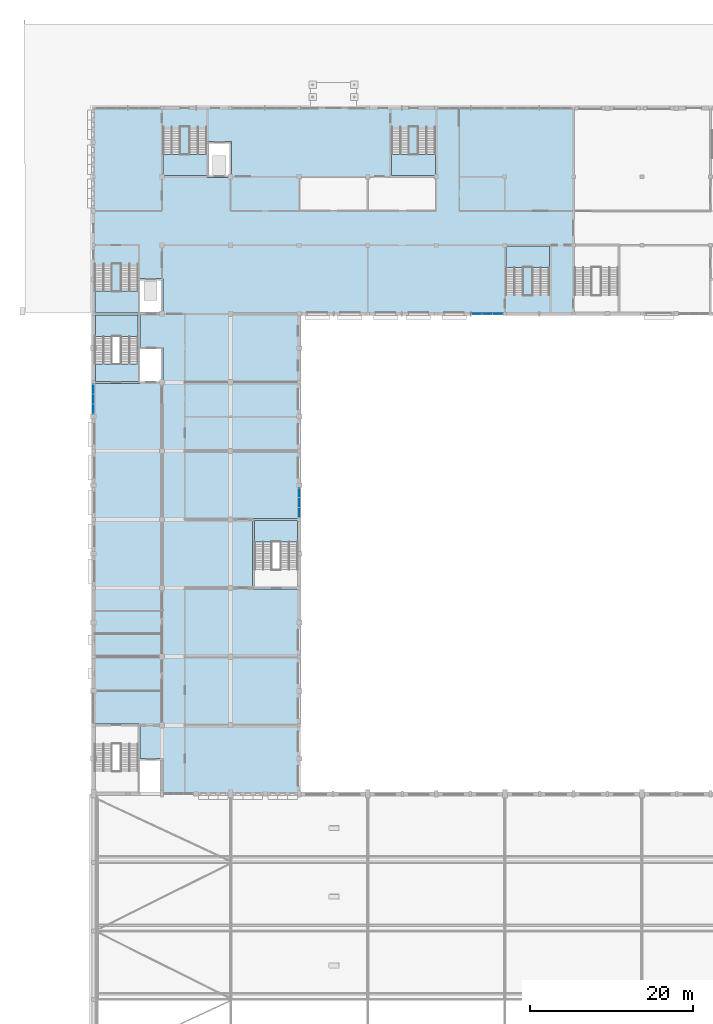
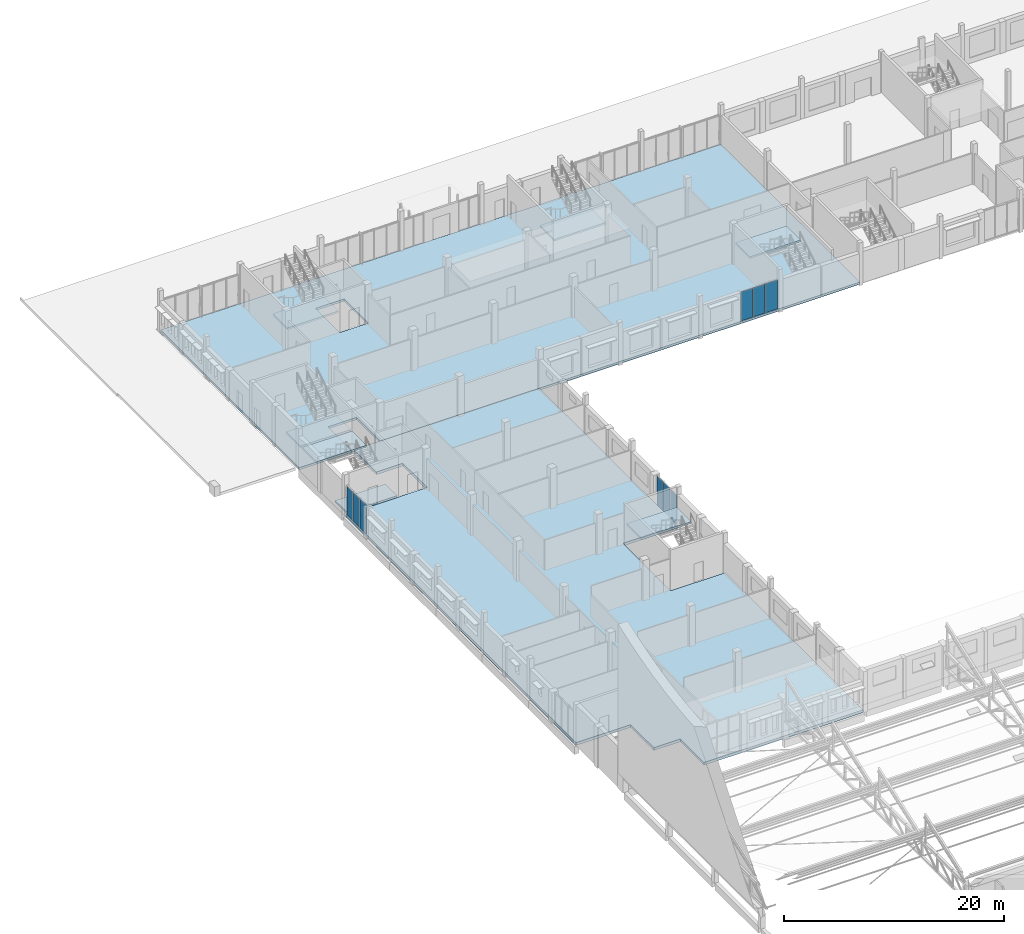
# One storey, part 65 of 101: 9 plates, 9 slabs, 9 elements without a shape of their own.
"""IFC4 building model written with IfcOpenShell, lengths in metres."""

from ifc_helpers import new_model, si_unit, direction, frame, origin, origin_2d, place, context, subcontext, project, spatial, polyline, rectangle, outline, extrude, material, layer, layer_set, type_object, element, aggregate, save


model = new_model("IFC4")

# Units and contexts
model_context = context("Model", 3, precision=1e-05, world=origin(), true_north=direction((0.0, 1.0)))
body_context = subcontext(model_context, "Body", "Model", "MODEL_VIEW")
ifc_project = project(units=[si_unit("LENGTHUNIT", "METRE"), si_unit("AREAUNIT", "SQUARE_METRE"), si_unit("VOLUMEUNIT", "CUBIC_METRE"), si_unit("PLANEANGLEUNIT", "RADIAN"), si_unit("MASSUNIT", "GRAM", prefix="KILO")], contexts=[model_context])

# Site, building, storey
site_placement = place(None, origin())
site = spatial("IfcSite", under=ifc_project, at=site_placement, CompositionType="ELEMENT")
building_placement = place(site_placement, origin())
building = spatial("IfcBuilding", under=site, at=building_placement, Name="Fescue Hill Polytechnic", CompositionType="ELEMENT")
storey_placement = place(building_placement, frame((0.0, 0.0, 9.0)))
storey = spatial("IfcBuildingStorey", under=building, at=storey_placement, Name="L02", CompositionType="ELEMENT", Elevation=9.0)

# Slabs
ifc_material_1 = material(Name="Concrete 35 MPa", Category="concrete")
ifc_layer_1 = layer(ifc_material_1, 0.25)
ifc_layer_set_1 = layer_set([ifc_layer_1], Name="Concrete 35 MPa")
slab_type_1 = type_object("IfcSlabType", Name="Base slab 250", PredefinedType="BASESLAB", material=ifc_layer_set_1)
slab_1_placement = place(storey_placement, frame((0.0, 0.0, -0.25)))
element("IfcSlab", 1, at=slab_1_placement, inside=storey, type_object=slab_type_1, Name="SL-L02-V5-1", PredefinedType="BASESLAB", context=body_context, shape_type="SweptSolid", body=[
    extrude(outline(polyline([(0.0, 109.199951171875), (0.0, 134.39990234375), (58.800048828125, 134.39990234375), (58.800048828125, 109.199951171875), (8.5, 109.199951171875), (8.5, 113.5), (5.5, 113.5), (5.5, 109.199951171875), (0.0, 109.199951171875)]), holes=[polyline([(16.89990234375, 125.89990234375), (16.89990234375, 130.300048828125), (13.89990234375, 130.300048828125), (13.89990234375, 125.89990234375), (16.89990234375, 125.89990234375)])]), origin(), (0.0, 0.0, 1.0), 0.25),
])
ifc_layer_2 = layer(ifc_material_1, 0.300048828125)
ifc_layer_set_2 = layer_set([ifc_layer_2], Name="Concrete 35 MPa")
slab_type_2 = type_object("IfcSlabType", Name="Floor slab 300", PredefinedType="FLOOR", material=ifc_layer_set_2)
slab_2_placement = place(storey_placement, frame((0.0, 0.0, -0.300048828125)))
element("IfcSlab", 2, at=slab_2_placement, inside=storey, type_object=slab_type_2, Name="SL-L02-V4-1", PredefinedType="FLOOR", context=body_context, shape_type="SweptSolid", body=[
    extrude(outline(polyline([(25.199951171875, 50.39990234375), (8.5, 50.39990234375), (8.5, 54.699951171875), (5.72509765625, 54.699951171875), (5.72509765625, 58.925048828125), (0.0, 58.925048828125), (0.0, 100.675048828125), (5.72509765625, 100.675048828125), (5.72509765625, 100.699951171875), (8.5, 100.699951171875), (8.5, 105.10009765625), (5.72509765625, 105.10009765625), (5.72509765625, 109.199951171875), (25.199951171875, 109.199951171875), (25.199951171875, 84.125), (19.47509765625, 84.125), (19.47509765625, 75.47509765625), (25.199951171875, 75.47509765625), (25.199951171875, 50.39990234375)])), origin(), (0.0, 0.0, 1.0), 0.300048828125),
])

# Curtain wall, plates
ifc_material_2 = material(Name="Glass", Category="glass")
curtain_wall_type = type_object("IfcCurtainWallType", Name="Curtain wall structural glazing", PredefinedType="NOTDEFINED", material=ifc_material_2)
curtain_wall_1_placement = place(storey_placement, origin())
curtain_wall_1 = element("IfcCurtainWall", 3, at=curtain_wall_1_placement, inside=storey, type_object=curtain_wall_type, Name="CW-L02-V4-X2", PredefinedType="NOTDEFINED")
ifc_layer_3 = layer(ifc_material_2, 0.028076171875)
ifc_layer_set_3 = layer_set([ifc_layer_3], Name="Glass")
plate_type = type_object("IfcPlateType", Name="Panel glazing 28", PredefinedType="CURTAIN_PANEL", material=ifc_layer_set_3)
plate_1_placement = place(storey_placement, frame((0.0, 99.947509765625, 0.06005859375), z_axis=(0.0, 0.0, 1.0), x_axis=(0.0, -1.0, 0.0)))
plate_1 = element("IfcPlate", 4, at=plate_1_placement, type_object=plate_type, Name="CW128 panel 1.1", PredefinedType="CURTAIN_PANEL", context=body_context, shape_type="SweptSolid", body=[
    extrude(rectangle(XDim=1.135009765625, YDim=0.028076171875, at=origin_2d()), origin(), (0.0, 0.0, 1.0), 3.2099609375),
])
plate_2_placement = place(storey_placement, frame((0.0, 98.737548828125, 0.06005859375), z_axis=(0.0, 0.0, 1.0), x_axis=(0.0, -1.0, 0.0)))
plate_2 = element("IfcPlate", 5, at=plate_2_placement, type_object=plate_type, Name="CW128 panel 2.1", PredefinedType="CURTAIN_PANEL", context=body_context, shape_type="SweptSolid", body=[
    extrude(rectangle(XDim=1.1650390625, YDim=0.028076171875, at=origin_2d()), origin(), (0.0, 0.0, 1.0), 3.2099609375),
])
plate_3_placement = place(storey_placement, frame((0.0, 97.527587890625, 0.06005859375), z_axis=(0.0, 0.0, 1.0), x_axis=(0.0, -1.0, 0.0)))
plate_3 = element("IfcPlate", 6, at=plate_3_placement, type_object=plate_type, Name="CW128 panel 3.1", PredefinedType="CURTAIN_PANEL", context=body_context, shape_type="SweptSolid", body=[
    extrude(rectangle(XDim=1.135009765625, YDim=0.028076171875, at=origin_2d()), origin(), (0.0, 0.0, 1.0), 3.2099609375),
])
aggregate(curtain_wall_1, [plate_1, plate_2, plate_3])

curtain_wall_2_placement = place(storey_placement, origin())
curtain_wall_2 = element("IfcCurtainWall", 7, at=curtain_wall_2_placement, inside=storey, type_object=curtain_wall_type, Name="CW-L02-V4-X3", PredefinedType="NOTDEFINED")
plate_4_placement = place(storey_placement, frame((25.199951171875, 84.8525390625, 0.06005859375), z_axis=(0.0, 0.0, 1.0), x_axis=(0.0, 1.0, 0.0)))
plate_4 = element("IfcPlate", 8, at=plate_4_placement, type_object=plate_type, Name="CW135 panel 1.1", PredefinedType="CURTAIN_PANEL", context=body_context, shape_type="SweptSolid", body=[
    extrude(rectangle(XDim=1.135009765625, YDim=0.028076171875, at=origin_2d()), origin(), (0.0, 0.0, 1.0), 3.2099609375),
])
plate_5_placement = place(storey_placement, frame((25.199951171875, 86.0625, 0.06005859375), z_axis=(0.0, 0.0, 1.0), x_axis=(0.0, 1.0, 0.0)))
plate_5 = element("IfcPlate", 9, at=plate_5_placement, type_object=plate_type, Name="CW135 panel 2.1", PredefinedType="CURTAIN_PANEL", context=body_context, shape_type="SweptSolid", body=[
    extrude(rectangle(XDim=1.1650390625, YDim=0.028076171875, at=origin_2d()), origin(), (0.0, 0.0, 1.0), 3.2099609375),
])
plate_6_placement = place(storey_placement, frame((25.199951171875, 87.2724609375, 0.06005859375), z_axis=(0.0, 0.0, 1.0), x_axis=(0.0, 1.0, 0.0)))
plate_6 = element("IfcPlate", 10, at=plate_6_placement, type_object=plate_type, Name="CW135 panel 3.1", PredefinedType="CURTAIN_PANEL", context=body_context, shape_type="SweptSolid", body=[
    extrude(rectangle(XDim=1.135009765625, YDim=0.028076171875, at=origin_2d()), origin(), (0.0, 0.0, 1.0), 3.2099609375),
])
aggregate(curtain_wall_2, [plate_4, plate_5, plate_6])

curtain_wall_3_placement = place(storey_placement, origin())
curtain_wall_3 = element("IfcCurtainWall", 11, at=curtain_wall_3_placement, inside=storey, type_object=curtain_wall_type, Name="CW-L02-V5-X3", PredefinedType="NOTDEFINED")
plate_7_placement = place(storey_placement, frame((46.942138671875, 109.199951171875, 0.06005859375), z_axis=(0.0, 0.0, 1.0), x_axis=(1.0, 0.0, 0.0)))
plate_7 = element("IfcPlate", 12, at=plate_7_placement, type_object=plate_type, Name="CW163 panel 1.1", PredefinedType="CURTAIN_PANEL", context=body_context, shape_type="SweptSolid", body=[
    extrude(rectangle(XDim=1.21923828125, YDim=0.028076171875, at=origin_2d()), origin(), (0.0, 0.0, 1.0), 3.2099609375),
])
plate_8_placement = place(storey_placement, frame((48.236328125, 109.199951171875, 0.06005859375), z_axis=(0.0, 0.0, 1.0), x_axis=(1.0, 0.0, 0.0)))
plate_8 = element("IfcPlate", 13, at=plate_8_placement, type_object=plate_type, Name="CW163 panel 2.1", PredefinedType="CURTAIN_PANEL", context=body_context, shape_type="SweptSolid", body=[
    extrude(rectangle(XDim=1.249267578125, YDim=0.028076171875, at=origin_2d()), origin(), (0.0, 0.0, 1.0), 3.2099609375),
])
plate_9_placement = place(storey_placement, frame((49.530517578125, 109.199951171875, 0.06005859375), z_axis=(0.0, 0.0, 1.0), x_axis=(1.0, 0.0, 0.0)))
plate_9 = element("IfcPlate", 14, at=plate_9_placement, type_object=plate_type, Name="CW163 panel 3.1", PredefinedType="CURTAIN_PANEL", context=body_context, shape_type="SweptSolid", body=[
    extrude(rectangle(XDim=1.21923828125, YDim=0.028076171875, at=origin_2d()), origin(), (0.0, 0.0, 1.0), 3.2099609375),
])
aggregate(curtain_wall_3, [plate_7, plate_8, plate_9])

# Stair, slabs
stair_type = type_object("IfcStairType", Name="Half-turn stair 2150 flights", PredefinedType="HALF_TURN_STAIR", material=ifc_material_1)
stair_1_placement = place(storey_placement, origin())
stair_1 = element("IfcStair", 15, at=stair_1_placement, inside=storey, type_object=stair_type, Name="L02 ST-V4-2 stair", PredefinedType="HALF_TURN_STAIR")
ifc_layer_4 = layer(ifc_material_1, 0.199951171875)
ifc_layer_set_4 = layer_set([ifc_layer_4], Name="Concrete 35 MPa")
slab_type_3 = type_object("IfcSlabType", Name="Stair landing slab 200", PredefinedType="LANDING", material=ifc_layer_set_4)
slab_3_placement = place(storey_placement, frame((0.0, 0.0, 2.050048828125)))
slab_3 = element("IfcSlab", 16, at=slab_3_placement, type_object=slab_type_3, Name="S16 landing 1", PredefinedType="LANDING", context=body_context, shape_type="SweptSolid", body=[
    extrude(outline(polyline([(0.22509765625, 106.43505859375), (5.47509765625, 106.43505859375), (5.47509765625, 109.074951171875), (0.22509765625, 109.074951171875), (0.22509765625, 106.43505859375)])), origin(), (0.0, 0.0, 1.0), 0.199951171875),
])
slab_4_placement = place(storey_placement, frame((0.0, 0.0, -0.199951171875)))
slab_4 = element("IfcSlab", 17, at=slab_4_placement, type_object=slab_type_3, Name="S16 landing 2", PredefinedType="LANDING", context=body_context, shape_type="SweptSolid", body=[
    extrude(outline(polyline([(0.22509765625, 100.925048828125), (5.5, 100.925048828125), (5.5, 103.074951171875), (0.22509765625, 103.074951171875), (0.22509765625, 100.925048828125)])), origin(), (0.0, 0.0, 1.0), 0.199951171875),
])
aggregate(stair_1, [slab_3, slab_4])

# Stair, slab
stair_2_placement = place(storey_placement, origin())
stair_2 = element("IfcStair", 18, at=stair_2_placement, inside=storey, type_object=stair_type, Name="L02 ST-V4-3 stair", PredefinedType="HALF_TURN_STAIR")
slab_5_placement = place(storey_placement, frame((0.0, 0.0, 2.050048828125)))
slab_5 = element("IfcSlab", 19, at=slab_5_placement, type_object=slab_type_3, Name="S17 landing 1", PredefinedType="LANDING", context=body_context, shape_type="SweptSolid", body=[
    extrude(outline(polyline([(19.72509765625, 81.235107421875), (24.97509765625, 81.235107421875), (24.97509765625, 83.875), (19.72509765625, 83.875), (19.72509765625, 81.235107421875)])), origin(), (0.0, 0.0, 1.0), 0.199951171875),
])
aggregate(stair_2, [slab_5])

stair_3_placement = place(storey_placement, origin())
stair_3 = element("IfcStair", 20, at=stair_3_placement, inside=storey, type_object=stair_type, Name="L02 ST-V5-1 stair", PredefinedType="HALF_TURN_STAIR")
slab_6_placement = place(storey_placement, frame((0.0, 0.0, 2.050048828125)))
slab_6 = element("IfcSlab", 21, at=slab_6_placement, type_object=slab_type_3, Name="S18 landing 1", PredefinedType="LANDING", context=body_context, shape_type="SweptSolid", body=[
    extrude(outline(polyline([(0.2099609375, 109.324951171875), (5.5, 109.324951171875), (5.5, 111.965087890625), (0.2099609375, 111.965087890625), (0.2099609375, 109.324951171875)])), origin(), (0.0, 0.0, 1.0), 0.199951171875),
])
aggregate(stair_3, [slab_6])

stair_4_placement = place(storey_placement, origin())
stair_4 = element("IfcStair", 22, at=stair_4_placement, inside=storey, type_object=stair_type, Name="L02 ST-V5-2 stair", PredefinedType="HALF_TURN_STAIR")
slab_7_placement = place(storey_placement, frame((0.0, 0.0, 2.050048828125)))
slab_7 = element("IfcSlab", 23, at=slab_7_placement, type_object=slab_type_3, Name="S19 landing 1", PredefinedType="LANDING", context=body_context, shape_type="SweptSolid", body=[
    extrude(outline(polyline([(36.52490234375, 126.125), (41.875, 126.125), (41.875, 128.739990234375), (36.52490234375, 128.739990234375), (36.52490234375, 126.125)])), origin(), (0.0, 0.0, 1.0), 0.199951171875),
])
aggregate(stair_4, [slab_7])

stair_5_placement = place(storey_placement, origin())
stair_5 = element("IfcStair", 24, at=stair_5_placement, inside=storey, type_object=stair_type, Name="L02 ST-V5-3 stair", PredefinedType="HALF_TURN_STAIR")
slab_8_placement = place(storey_placement, frame((0.0, 0.0, 2.050048828125)))
slab_8 = element("IfcSlab", 25, at=slab_8_placement, type_object=slab_type_3, Name="S20 landing 1", PredefinedType="LANDING", context=body_context, shape_type="SweptSolid", body=[
    extrude(outline(polyline([(8.52490234375, 126.125), (13.89990234375, 126.125), (13.89990234375, 128.739990234375), (8.52490234375, 128.739990234375), (8.52490234375, 126.125)])), origin(), (0.0, 0.0, 1.0), 0.199951171875),
])
aggregate(stair_5, [slab_8])

stair_6_placement = place(storey_placement, origin())
stair_6 = element("IfcStair", 26, at=stair_6_placement, inside=storey, type_object=stair_type, Name="L02 ST-V5-4 stair", PredefinedType="HALF_TURN_STAIR")
slab_9_placement = place(storey_placement, frame((0.0, 0.0, 2.050048828125)))
slab_9 = element("IfcSlab", 27, at=slab_9_placement, type_object=slab_type_3, Name="S21 landing 1", PredefinedType="LANDING", context=body_context, shape_type="SweptSolid", body=[
    extrude(outline(polyline([(50.52490234375, 114.860107421875), (55.875, 114.860107421875), (55.875, 117.47509765625), (50.52490234375, 117.47509765625), (50.52490234375, 114.860107421875)])), origin(), (0.0, 0.0, 1.0), 0.199951171875),
])
aggregate(stair_6, [slab_9])

save(model, "model.ifc")
